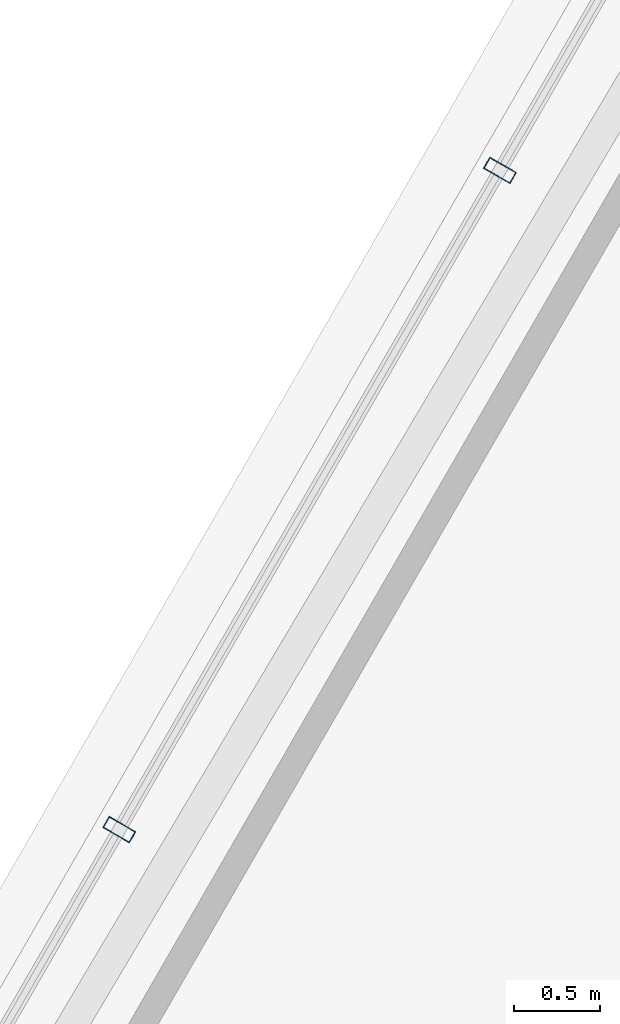
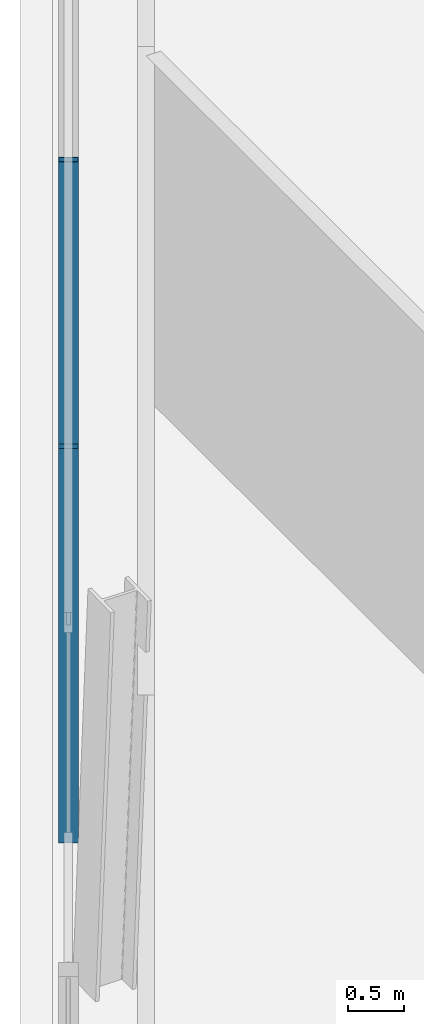
# One storey, part 14 of 32: 2 members, 1 element without a shape of its own.
"""IFC4 building model written with IfcOpenShell, lengths in metres."""

from ifc_helpers import new_model, si_unit, direction, frame, origin, origin_2d, place, context, subcontext, project, spatial, hollow_rectangle, extrude, material, layer, layer_set, material_profile, profile_set, type_object, element, aggregate, save


model = new_model("IFC4")

# Units and contexts
model_context = context("Model", 3, precision=1e-05, world=origin(), true_north=direction((0.0, 1.0)))
body_context = subcontext(model_context, "Body", "Model", "MODEL_VIEW")
ifc_project = project(units=[si_unit("LENGTHUNIT", "METRE"), si_unit("AREAUNIT", "SQUARE_METRE"), si_unit("VOLUMEUNIT", "CUBIC_METRE"), si_unit("PLANEANGLEUNIT", "RADIAN"), si_unit("MASSUNIT", "GRAM", prefix="KILO")], contexts=[model_context])

# Site, building, storey
site_placement = place(None, origin())
site = spatial("IfcSite", under=ifc_project, at=site_placement, CompositionType="ELEMENT")
building_placement = place(site_placement, origin())
building = spatial("IfcBuilding", under=site, at=building_placement, Name="Ndaravel Arena Tower", CompositionType="ELEMENT")
storey_placement = place(building_placement, frame((0.0, 0.0, 278.800048828125)))
storey = spatial("IfcBuildingStorey", under=building, at=storey_placement, Name="L68", CompositionType="ELEMENT", Elevation=278.800048828125)

# Curtain wall, members
ifc_material_1 = material(Name="Aluminium", Category="aluminium")
ifc_layer = layer(ifc_material_1, 0.179931640625)
ifc_layer_set = layer_set([ifc_layer], Name="Aluminium")
curtain_wall_type = type_object("IfcCurtainWallType", Name="CW-SYS-03", PredefinedType="NOTDEFINED", material=ifc_layer_set)
curtain_wall_placement = place(storey_placement, origin())
curtain_wall = element("IfcCurtainWall", 1, at=curtain_wall_placement, inside=storey, type_object=curtain_wall_type, Name="L68 Faceted Crystal Curtain Wall CW-L68-E05", PredefinedType="NOTDEFINED")
ifc_material_2 = material(Name="Aluminium", Category="aluminium")
ifc_material_profile = material_profile(ifc_material_2, hollow_rectangle(XDim=0.074951171875, YDim=0.179931640625, WallThickness=0.00390625, at=origin_2d()), Name="CW MULLION 75x180x4")
ifc_profile_set = profile_set([ifc_material_profile], Name="Aluminium")
member_type = type_object("IfcMemberType", Name="MEM-CW-MUL180", PredefinedType="MULLION", material=ifc_profile_set)
member_1_placement = place(storey_placement, frame((32.96728515625, 32.35888671875, 0.0), z_axis=(0.0, 0.0, 1.0), x_axis=(-0.5, -0.866025403784, 0.0)))
member_1 = element("IfcMember", 2, at=member_1_placement, type_object=member_type, Name="CW-L68-E05 Mullion 03", PredefinedType="MULLION", context=body_context, shape_type="SweptSolid", body=[
    extrude(hollow_rectangle(XDim=0.074951171875, YDim=0.179931640625, WallThickness=0.00390625, at=origin_2d()), origin(), (0.0, 0.0, 1.0), 4.280029296875),
])
member_2_placement = place(storey_placement, frame((30.74365234375, 28.5078125, 0.0), z_axis=(0.0, 0.0, 1.0), x_axis=(-0.5, -0.866025403784, 0.0)))
member_2 = element("IfcMember", 3, at=member_2_placement, type_object=member_type, Name="CW-L68-E05 Mullion 04", PredefinedType="MULLION", context=body_context, shape_type="SweptSolid", body=[
    extrude(hollow_rectangle(XDim=0.074951171875, YDim=0.179931640625, WallThickness=0.00390625, at=origin_2d()), origin(), (0.0, 0.0, 1.0), 4.280029296875),
])
aggregate(curtain_wall, [member_1, member_2])

save(model, "model.ifc")
